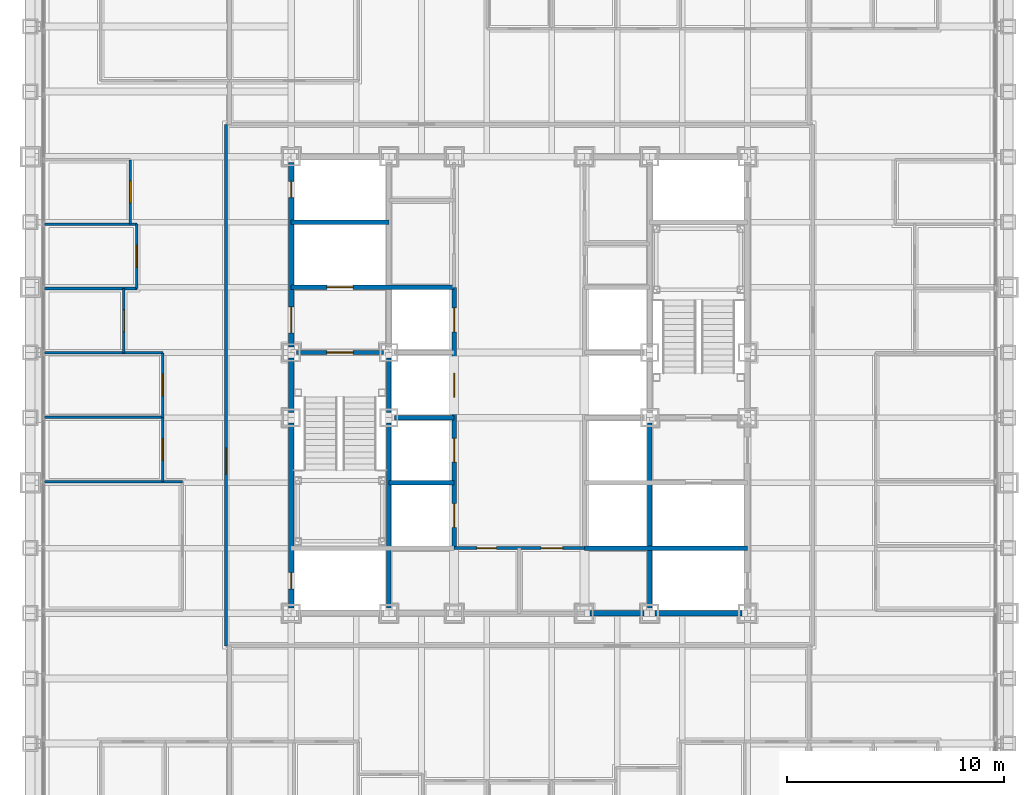
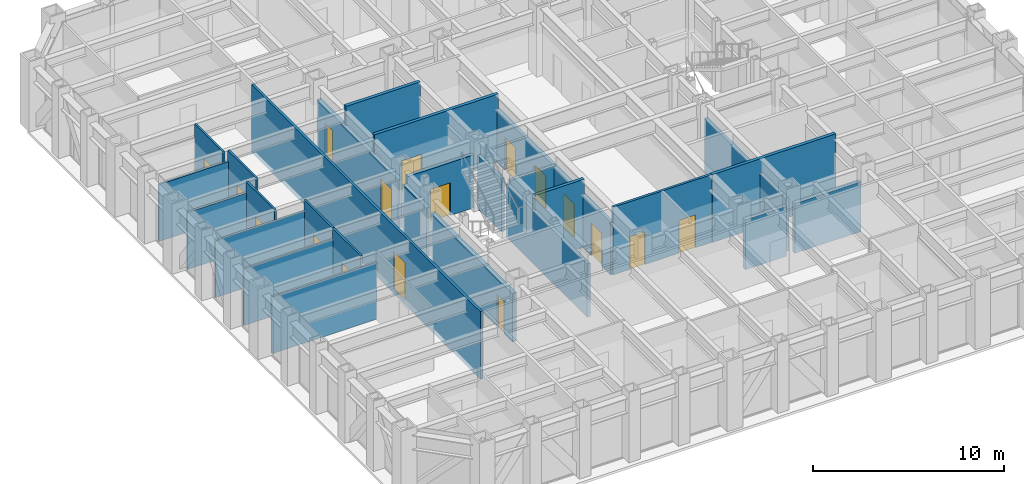
# One storey, part 9 of 16: 27 walls, 17 doors, 17 openings.
"""IFC4 building model written with IfcOpenShell, lengths in metres."""

from ifc_helpers import new_model, si_unit, direction, frame, frame_2d, origin, place, context, subcontext, project, spatial, rectangle, extrude, material, layer, layer_set, type_object, element, fill, save


model = new_model("IFC4")

# Units and contexts
model_context = context("Model", 3, precision=1e-05, world=origin(), true_north=direction((0.0, 1.0)))
body_context = subcontext(model_context, "Body", "Model", "MODEL_VIEW")
ifc_project = project(units=[si_unit("LENGTHUNIT", "METRE"), si_unit("AREAUNIT", "SQUARE_METRE"), si_unit("VOLUMEUNIT", "CUBIC_METRE"), si_unit("PLANEANGLEUNIT", "RADIAN"), si_unit("MASSUNIT", "GRAM", prefix="KILO")], contexts=[model_context])

# Site, building, storey
site_placement = place(None, origin())
site = spatial("IfcSite", under=ifc_project, at=site_placement, CompositionType="ELEMENT")
building_placement = place(site_placement, origin())
building = spatial("IfcBuilding", under=site, at=building_placement, Name="Chuquiago Exchange Tower", CompositionType="ELEMENT")
storey_placement = place(building_placement, frame((0.0, 0.0, 73.800048828125)))
storey = spatial("IfcBuildingStorey", under=building, at=storey_placement, Name="L15", CompositionType="ELEMENT", Elevation=73.800048828125)

# Wall, opening, door
ifc_material_1 = material(Name="Concrete masonry, fully grouted", Category="masonry")
ifc_layer_1 = layer(ifc_material_1, 0.25)
ifc_layer_set_1 = layer_set([ifc_layer_1], Name="W1 core wall 250")
wall_type_1 = type_object("IfcWallType", Name="W1 core wall 250", PredefinedType="SOLIDWALL", material=ifc_layer_set_1)
wall_1_placement = place(storey_placement, frame((12.0, 12.25, 0.0), z_axis=(0.0, 0.0, 1.0), x_axis=(0.0, 1.0, 0.0)))
wall_1 = element("IfcWall", 1, at=wall_1_placement, inside=storey, type_object=wall_type_1, Name="CW-L15-00-0", PredefinedType="SOLIDWALL", context=body_context, shape_type="SweptSolid", body=[
    extrude(rectangle(XDim=8.5, YDim=0.25, at=frame_2d((4.25, 0.0))), origin(), (0.0, 0.0, 1.0), 3.11279296875),
])
opening_1_placement = place(wall_1_placement, frame((0.875, 0.0, 0.0)))
opening_1 = element("IfcOpeningElement", 2, at=opening_1_placement, cuts=wall_1, Name="Opening L15-007", PredefinedType="OPENING", context=body_context, shape_type="SweptSolid", body=[
    extrude(rectangle(XDim=0.75, YDim=2.10009765625, at=frame_2d((0.375, 1.050048828125))), frame((0.0, 0.135009765625, 0.0), z_axis=(0.0, -1.0, 0.0), x_axis=(1.0, 0.0, 0.0)), (0.0, 0.0, 1.0), 0.27001953125),
])
ifc_material_2 = material(Name="Steel door, painted", Category="steel")
door_type_1 = type_object("IfcDoorType", Name="D6 riser access door 750x2100", OperationType="SINGLE_SWING_LEFT", PredefinedType="DOOR", material=ifc_material_2)
door_1_placement = place(opening_1_placement, origin())
door_1 = element("IfcDoor", 3, at=door_1_placement, inside=storey, type_object=door_type_1, Name="Riser RW1 door", OperationType="SINGLE_SWING_LEFT", OverallHeight=2.10009765625, OverallWidth=0.75, PredefinedType="DOOR", context=body_context, shape_type="SweptSolid", body=[
    extrude(rectangle(XDim=0.75, YDim=2.10009765625, at=frame_2d((0.375, 1.050048828125))), frame((0.0, 0.02490234375, 0.0), z_axis=(0.0, -1.0, 0.0), x_axis=(1.0, 0.0, 0.0)), (0.0, 0.0, 1.0), 0.050048828125),
])
fill(opening_1, door_1)

# Wall
wall_2_placement = place(storey_placement, frame((12.0, 21.25, 0.0), z_axis=(0.0, 0.0, 1.0), x_axis=(0.0, 1.0, 0.0)))
element("IfcWall", 4, at=wall_2_placement, inside=storey, type_object=wall_type_1, Name="CW-L15-00-1", PredefinedType="SOLIDWALL", context=body_context, shape_type="SweptSolid", body=[
    extrude(rectangle(XDim=2.5, YDim=0.25, at=frame_2d((1.25, 0.0))), origin(), (0.0, 0.0, 1.0), 3.11279296875),
])

# Wall, openings, doors
wall_3_placement = place(storey_placement, frame((12.0, 24.25, 0.0), z_axis=(0.0, 0.0, 1.0), x_axis=(0.0, 1.0, 0.0)))
wall_3 = element("IfcWall", 5, at=wall_3_placement, inside=storey, type_object=wall_type_1, Name="CW-L15-00-2", PredefinedType="SOLIDWALL", context=body_context, shape_type="SweptSolid", body=[
    extrude(rectangle(XDim=8.5, YDim=0.25, at=frame_2d((4.25, 0.0))), origin(), (0.0, 0.0, 1.0), 3.11279296875),
])
opening_2_placement = place(wall_3_placement, frame((0.64990234375, 0.0, 0.0)))
opening_2 = element("IfcOpeningElement", 6, at=opening_2_placement, cuts=wall_3, Name="Opening L15-002", PredefinedType="OPENING", context=body_context, shape_type="SweptSolid", body=[
    extrude(rectangle(XDim=1.199951171875, YDim=2.10009765625, at=frame_2d((0.60009765625, 1.050048828125))), frame((0.0, 0.135009765625, 0.0), z_axis=(0.0, -1.0, 0.0), x_axis=(1.0, 0.0, 0.0)), (0.0, 0.0, 1.0), 0.27001953125),
])
opening_3_placement = place(wall_3_placement, frame((6.875, 0.0, 0.0)))
opening_3 = element("IfcOpeningElement", 7, at=opening_3_placement, cuts=wall_3, Name="Opening L15-008", PredefinedType="OPENING", context=body_context, shape_type="SweptSolid", body=[
    extrude(rectangle(XDim=0.75, YDim=2.10009765625, at=frame_2d((0.375, 1.050048828125))), frame((0.0, 0.135009765625, 0.0), z_axis=(0.0, -1.0, 0.0), x_axis=(1.0, 0.0, 0.0)), (0.0, 0.0, 1.0), 0.27001953125),
])
ifc_material_3 = material(Name="Steel door, painted", Category="steel")
door_type_2 = type_object("IfcDoorType", Name="D5 firefighting lobby door 1200x2100", OperationType="SINGLE_SWING_LEFT", PredefinedType="DOOR", material=ifc_material_3)
door_2_placement = place(opening_2_placement, frame((1.199951171875, 0.0, 0.0), z_axis=(0.0, 0.0, 1.0), x_axis=(-1.0, 0.0, 0.0)))
door_2 = element("IfcDoor", 8, at=door_2_placement, inside=storey, type_object=door_type_2, Name="Firefighting lobby 1 door", OperationType="SINGLE_SWING_RIGHT", OverallHeight=2.10009765625, OverallWidth=1.199951171875, PredefinedType="DOOR", context=body_context, shape_type="SweptSolid", body=[
    extrude(rectangle(XDim=1.199951171875, YDim=2.10009765625, at=frame_2d((0.60009765625, 1.050048828125))), frame((0.0, 0.02490234375, 0.0), z_axis=(0.0, -1.0, 0.0), x_axis=(1.0, 0.0, 0.0)), (0.0, 0.0, 1.0), 0.050048828125),
])
fill(opening_2, door_2)
door_3_placement = place(opening_3_placement, origin())
door_3 = element("IfcDoor", 9, at=door_3_placement, inside=storey, type_object=door_type_1, Name="Riser RW2 door", OperationType="SINGLE_SWING_RIGHT", OverallHeight=2.10009765625, OverallWidth=0.75, PredefinedType="DOOR", context=body_context, shape_type="SweptSolid", body=[
    extrude(rectangle(XDim=0.75, YDim=2.10009765625, at=frame_2d((0.375, 1.050048828125))), frame((0.0, 0.02490234375, 0.0), z_axis=(0.0, -1.0, 0.0), x_axis=(1.0, 0.0, 0.0)), (0.0, 0.0, 1.0), 0.050048828125),
])
fill(opening_3, door_3)

# Walls
wall_4_placement = place(storey_placement, frame((25.75, 12.0, 0.0), z_axis=(0.0, 0.0, 1.0), x_axis=(1.0, 0.0, 0.0)))
element("IfcWall", 10, at=wall_4_placement, inside=storey, type_object=wall_type_1, Name="CW-L15-02-0", PredefinedType="SOLIDWALL", context=body_context, shape_type="SweptSolid", body=[
    extrude(rectangle(XDim=2.5, YDim=0.25, at=frame_2d((1.25, 0.0))), origin(), (0.0, 0.0, 1.0), 3.181396484375),
])
wall_5_placement = place(storey_placement, frame((28.75, 12.0, 0.0), z_axis=(0.0, 0.0, 1.0), x_axis=(1.0, 0.0, 0.0)))
element("IfcWall", 11, at=wall_5_placement, inside=storey, type_object=wall_type_1, Name="CW-L15-02-1", PredefinedType="SOLIDWALL", context=body_context, shape_type="SweptSolid", body=[
    extrude(rectangle(XDim=4.0, YDim=0.25, at=frame_2d((2.0, 0.0))), origin(), (0.0, 0.0, 1.0), 3.181396484375),
])

# Wall, opening, door
ifc_material_4 = material(Name="Gypsum board on steel studs, acoustic insulation", Category="steel")
ifc_layer_2 = layer(ifc_material_4, 0.14990234375)
ifc_layer_set_2 = layer_set([ifc_layer_2], Name="W11 corridor wall 150")
wall_type_2 = type_object("IfcWallType", Name="W11 corridor wall 150", PredefinedType="PARTITIONING", material=ifc_layer_set_2)
wall_6_placement = place(storey_placement, frame((9.0, 10.5, -0.300048828125), z_axis=(0.0, 0.0, 1.0), x_axis=(0.0, 1.0, 0.0)))
wall_6 = element("IfcWall", 12, at=wall_6_placement, inside=storey, type_object=wall_type_2, Name="PW-L15-CW", PredefinedType="PARTITIONING", context=body_context, shape_type="SweptSolid", body=[
    extrude(rectangle(XDim=24.0, YDim=0.14990234375, at=frame_2d((12.0, 0.0))), origin(), (0.0, 0.0, 1.0), 4.340087890625),
])
opening_4_placement = place(wall_6_placement, frame((7.89990234375, 0.0, 0.300048828125)))
opening_4 = element("IfcOpeningElement", 13, at=opening_4_placement, cuts=wall_6, Name="Opening L15-058", PredefinedType="OPENING", context=body_context, shape_type="SweptSolid", body=[
    extrude(rectangle(XDim=1.199951171875, YDim=2.39990234375, at=frame_2d((0.60009765625, 1.199951171875))), frame((0.0, 0.0849609375, 0.0), z_axis=(0.0, -1.0, 0.0), x_axis=(1.0, 0.0, 0.0)), (0.0, 0.0, 1.0), 0.169921875),
])
ifc_material_5 = material(Name="Timber door, laminate faced", Category="wood")
door_type_3 = type_object("IfcDoorType", Name="D13 suite entrance door 1200x2400", OperationType="SINGLE_SWING_LEFT", PredefinedType="DOOR", material=ifc_material_5)
door_4_placement = place(opening_4_placement, origin())
door_4 = element("IfcDoor", 14, at=door_4_placement, inside=storey, type_object=door_type_3, Name="West suite entrance door", OperationType="SINGLE_SWING_LEFT", OverallHeight=2.39990234375, OverallWidth=1.199951171875, PredefinedType="DOOR", context=body_context, shape_type="SweptSolid", body=[
    extrude(rectangle(XDim=1.199951171875, YDim=2.39990234375, at=frame_2d((0.60009765625, 1.199951171875))), frame((0.0, 0.02490234375, 0.0), z_axis=(0.0, -1.0, 0.0), x_axis=(1.0, 0.0, 0.0)), (0.0, 0.0, 1.0), 0.050048828125),
])
fill(opening_4, door_4)

# Wall
ifc_material_6 = material(Name="Concrete masonry, fully grouted", Category="masonry")
ifc_layer_3 = layer(ifc_material_6, 0.199951171875)
ifc_layer_set_3 = layer_set([ifc_layer_3], Name="W2 shaft wall 200")
wall_type_3 = type_object("IfcWallType", Name="W2 shaft wall 200", PredefinedType="SOLIDWALL", material=ifc_layer_set_3)
wall_7_placement = place(storey_placement, frame((25.5, 15.0, 0.0), z_axis=(0.0, 0.0, 1.0), x_axis=(1.0, 0.0, 0.0)))
element("IfcWall", 15, at=wall_7_placement, inside=storey, type_object=wall_type_3, Name="CW-L15-04-0", PredefinedType="SOLIDWALL", context=body_context, shape_type="SweptSolid", body=[
    extrude(rectangle(XDim=7.5, YDim=0.199951171875, at=frame_2d((3.75, 0.0))), origin(), (0.0, 0.0, 1.0), 4.33984375),
])

# Wall, opening, door
wall_8_placement = place(storey_placement, frame((12.25, 24.0, 0.0), z_axis=(0.0, 0.0, 1.0), x_axis=(1.0, 0.0, 0.0)))
wall_8 = element("IfcWall", 16, at=wall_8_placement, inside=storey, type_object=wall_type_3, Name="CW-L15-05-0", PredefinedType="SOLIDWALL", context=body_context, shape_type="SweptSolid", body=[
    extrude(rectangle(XDim=4.0, YDim=0.199951171875, at=frame_2d((2.0, 0.0))), origin(), (0.0, 0.0, 1.0), 3.389892578125),
])
opening_5_placement = place(wall_8_placement, frame((1.39990234375, 0.0, 0.0)))
opening_5 = element("IfcOpeningElement", 17, at=opening_5_placement, cuts=wall_8, Name="Opening L15-001", PredefinedType="OPENING", context=body_context, shape_type="SweptSolid", body=[
    extrude(rectangle(XDim=1.199951171875, YDim=2.10009765625, at=frame_2d((0.60009765625, 1.050048828125))), frame((0.0, 0.10986328125, 0.0), z_axis=(0.0, -1.0, 0.0), x_axis=(1.0, 0.0, 0.0)), (0.0, 0.0, 1.0), 0.219970703125),
])
ifc_material_7 = material(Name="Steel door, painted", Category="steel")
door_type_4 = type_object("IfcDoorType", Name="D4 stair door 1200x2100", OperationType="SINGLE_SWING_LEFT", PredefinedType="DOOR", material=ifc_material_7)
door_5_placement = place(opening_5_placement, frame((1.199951171875, 0.0, 0.0), z_axis=(0.0, 0.0, 1.0), x_axis=(-1.0, 0.0, 0.0)))
door_5 = element("IfcDoor", 18, at=door_5_placement, inside=storey, type_object=door_type_4, Name="Stair ST1 door", OperationType="SINGLE_SWING_RIGHT", OverallHeight=2.10009765625, OverallWidth=1.199951171875, PredefinedType="DOOR", context=body_context, shape_type="SweptSolid", body=[
    extrude(rectangle(XDim=1.199951171875, YDim=2.10009765625, at=frame_2d((0.60009765625, 1.050048828125))), frame((0.0, 0.02490234375, 0.0), z_axis=(0.0, -1.0, 0.0), x_axis=(1.0, 0.0, 0.0)), (0.0, 0.0, 1.0), 0.050048828125),
])
fill(opening_5, door_5)

wall_9_placement = place(storey_placement, frame((12.0, 27.0, 0.0), z_axis=(0.0, 0.0, 1.0), x_axis=(1.0, 0.0, 0.0)))
wall_9 = element("IfcWall", 19, at=wall_9_placement, inside=storey, type_object=wall_type_3, Name="CW-L15-07-0", PredefinedType="SOLIDWALL", context=body_context, shape_type="SweptSolid", body=[
    extrude(rectangle(XDim=7.5, YDim=0.199951171875, at=frame_2d((3.75, 0.0))), origin(), (0.0, 0.0, 1.0), 4.33984375),
])
opening_6_placement = place(wall_9_placement, frame((1.64990234375, 0.0, 0.0)))
opening_6 = element("IfcOpeningElement", 20, at=opening_6_placement, cuts=wall_9, Name="Opening L15-005", PredefinedType="OPENING", context=body_context, shape_type="SweptSolid", body=[
    extrude(rectangle(XDim=1.199951171875, YDim=2.10009765625, at=frame_2d((0.60009765625, 1.050048828125))), frame((0.0, 0.10986328125, 0.0), z_axis=(0.0, -1.0, 0.0), x_axis=(1.0, 0.0, 0.0)), (0.0, 0.0, 1.0), 0.219970703125),
])
ifc_material_8 = material(Name="Stainless steel lift landing door", Category="steel")
door_type_5 = type_object("IfcDoorType", Name="LD2 firefighting lift landing door 1200x2100", OperationType="DOUBLE_DOOR_SLIDING", PredefinedType="DOOR", material=ifc_material_8)
door_6_placement = place(opening_6_placement, origin())
door_6 = element("IfcDoor", 21, at=door_6_placement, inside=storey, type_object=door_type_5, Name="Firefighting lift FL1 landing door", OperationType="DOUBLE_DOOR_SLIDING", OverallHeight=2.10009765625, OverallWidth=1.199951171875, PredefinedType="DOOR", context=body_context, shape_type="SweptSolid", body=[
    extrude(rectangle(XDim=1.199951171875, YDim=2.10009765625, at=frame_2d((0.60009765625, 1.050048828125))), frame((0.0, 0.02490234375, 0.0), z_axis=(0.0, -1.0, 0.0), x_axis=(1.0, 0.0, 0.0)), (0.0, 0.0, 1.0), 0.050048828125),
])
fill(opening_6, door_6)

# Walls
wall_10_placement = place(storey_placement, frame((12.0, 30.0, 0.0), z_axis=(0.0, 0.0, 1.0), x_axis=(1.0, 0.0, 0.0)))
element("IfcWall", 22, at=wall_10_placement, inside=storey, type_object=wall_type_3, Name="CW-L15-09-0", PredefinedType="SOLIDWALL", context=body_context, shape_type="SweptSolid", body=[
    extrude(rectangle(XDim=4.5, YDim=0.199951171875, at=frame_2d((2.25, 0.0))), origin(), (0.0, 0.0, 1.0), 4.33984375),
])
wall_11_placement = place(storey_placement, frame((16.5, 12.25, 0.0), z_axis=(0.0, 0.0, 1.0), x_axis=(0.0, 1.0, 0.0)))
element("IfcWall", 23, at=wall_11_placement, inside=storey, type_object=wall_type_3, Name="CW-L15-13-0", PredefinedType="SOLIDWALL", context=body_context, shape_type="SweptSolid", body=[
    extrude(rectangle(XDim=8.5, YDim=0.199951171875, at=frame_2d((4.25, 0.0))), origin(), (0.0, 0.0, 1.0), 3.412841796875),
])
wall_12_placement = place(storey_placement, frame((16.5, 21.25, 0.0), z_axis=(0.0, 0.0, 1.0), x_axis=(0.0, 1.0, 0.0)))
element("IfcWall", 24, at=wall_12_placement, inside=storey, type_object=wall_type_3, Name="CW-L15-13-1", PredefinedType="SOLIDWALL", context=body_context, shape_type="SweptSolid", body=[
    extrude(rectangle(XDim=2.5, YDim=0.199951171875, at=frame_2d((1.25, 0.0))), origin(), (0.0, 0.0, 1.0), 3.412841796875),
])
wall_13_placement = place(storey_placement, frame((16.5, 18.0, 0.0), z_axis=(0.0, 0.0, 1.0), x_axis=(1.0, 0.0, 0.0)))
element("IfcWall", 25, at=wall_13_placement, inside=storey, type_object=wall_type_3, Name="CW-L15-14-0", PredefinedType="SOLIDWALL", context=body_context, shape_type="SweptSolid", body=[
    extrude(rectangle(XDim=3.0, YDim=0.199951171875, at=frame_2d((1.5, 0.0))), origin(), (0.0, 0.0, 1.0), 4.33984375),
])
wall_14_placement = place(storey_placement, frame((16.75, 21.0, 0.0), z_axis=(0.0, 0.0, 1.0), x_axis=(1.0, 0.0, 0.0)))
element("IfcWall", 26, at=wall_14_placement, inside=storey, type_object=wall_type_3, Name="CW-L15-16-0", PredefinedType="SOLIDWALL", context=body_context, shape_type="SweptSolid", body=[
    extrude(rectangle(XDim=2.75, YDim=0.199951171875, at=frame_2d((1.375, 0.0))), origin(), (0.0, 0.0, 1.0), 3.389892578125),
])

# Wall, openings, doors
wall_15_placement = place(storey_placement, frame((19.5, 15.0, 0.0), z_axis=(0.0, 0.0, 1.0), x_axis=(0.0, 1.0, 0.0)))
wall_15 = element("IfcWall", 27, at=wall_15_placement, inside=storey, type_object=wall_type_3, Name="CW-L15-19-0", PredefinedType="SOLIDWALL", context=body_context, shape_type="SweptSolid", body=[
    extrude(rectangle(XDim=12.0, YDim=0.199951171875, at=frame_2d((6.0, 0.0))), origin(), (0.0, 0.0, 1.0), 3.364501953125),
])
opening_7_placement = place(wall_15_placement, frame((0.949951171875, 0.0, 0.0)))
opening_7 = element("IfcOpeningElement", 28, at=opening_7_placement, cuts=wall_15, Name="Opening L15-017", PredefinedType="OPENING", context=body_context, shape_type="SweptSolid", body=[
    extrude(rectangle(XDim=1.10009765625, YDim=2.10009765625, at=frame_2d((0.550048828125, 1.050048828125))), frame((0.0, 0.10986328125, 0.0), z_axis=(0.0, -1.0, 0.0), x_axis=(1.0, 0.0, 0.0)), (0.0, 0.0, 1.0), 0.219970703125),
])
opening_8_placement = place(wall_15_placement, frame((3.949951171875, 0.0, 0.0)))
opening_8 = element("IfcOpeningElement", 29, at=opening_8_placement, cuts=wall_15, Name="Opening L15-018", PredefinedType="OPENING", context=body_context, shape_type="SweptSolid", body=[
    extrude(rectangle(XDim=1.10009765625, YDim=2.10009765625, at=frame_2d((0.550048828125, 1.050048828125))), frame((0.0, 0.10986328125, 0.0), z_axis=(0.0, -1.0, 0.0), x_axis=(1.0, 0.0, 0.0)), (0.0, 0.0, 1.0), 0.219970703125),
])
opening_9_placement = place(wall_15_placement, frame((6.949951171875, 0.0, 0.0)))
opening_9 = element("IfcOpeningElement", 30, at=opening_9_placement, cuts=wall_15, Name="Opening L15-019", PredefinedType="OPENING", context=body_context, shape_type="SweptSolid", body=[
    extrude(rectangle(XDim=1.10009765625, YDim=2.10009765625, at=frame_2d((0.550048828125, 1.050048828125))), frame((0.0, 0.10986328125, 0.0), z_axis=(0.0, -1.0, 0.0), x_axis=(1.0, 0.0, 0.0)), (0.0, 0.0, 1.0), 0.219970703125),
])
opening_10_placement = place(wall_15_placement, frame((9.949951171875, 0.0, 0.0)))
opening_10 = element("IfcOpeningElement", 31, at=opening_10_placement, cuts=wall_15, Name="Opening L15-020", PredefinedType="OPENING", context=body_context, shape_type="SweptSolid", body=[
    extrude(rectangle(XDim=1.10009765625, YDim=2.10009765625, at=frame_2d((0.550048828125, 1.050048828125))), frame((0.0, 0.10986328125, 0.0), z_axis=(0.0, -1.0, 0.0), x_axis=(1.0, 0.0, 0.0)), (0.0, 0.0, 1.0), 0.219970703125),
])
ifc_material_9 = material(Name="Stainless steel lift landing door", Category="steel")
door_type_6 = type_object("IfcDoorType", Name="LD1 lift landing door 1100x2100", OperationType="DOUBLE_DOOR_SLIDING", PredefinedType="DOOR", material=ifc_material_9)
door_7_placement = place(opening_7_placement, origin())
door_7 = element("IfcDoor", 32, at=door_7_placement, inside=storey, type_object=door_type_6, Name="Lift LA1 landing door", OperationType="DOUBLE_DOOR_SLIDING", OverallHeight=2.10009765625, OverallWidth=1.10009765625, PredefinedType="DOOR", context=body_context, shape_type="SweptSolid", body=[
    extrude(rectangle(XDim=1.10009765625, YDim=2.10009765625, at=frame_2d((0.550048828125, 1.050048828125))), frame((0.0, 0.02490234375, 0.0), z_axis=(0.0, -1.0, 0.0), x_axis=(1.0, 0.0, 0.0)), (0.0, 0.0, 1.0), 0.050048828125),
])
fill(opening_7, door_7)
door_8_placement = place(opening_8_placement, origin())
door_8 = element("IfcDoor", 33, at=door_8_placement, inside=storey, type_object=door_type_6, Name="Lift LA2 landing door", OperationType="DOUBLE_DOOR_SLIDING", OverallHeight=2.10009765625, OverallWidth=1.10009765625, PredefinedType="DOOR", context=body_context, shape_type="SweptSolid", body=[
    extrude(rectangle(XDim=1.10009765625, YDim=2.10009765625, at=frame_2d((0.550048828125, 1.050048828125))), frame((0.0, 0.02490234375, 0.0), z_axis=(0.0, -1.0, 0.0), x_axis=(1.0, 0.0, 0.0)), (0.0, 0.0, 1.0), 0.050048828125),
])
fill(opening_8, door_8)
door_9_placement = place(opening_9_placement, origin())
door_9 = element("IfcDoor", 34, at=door_9_placement, inside=storey, type_object=door_type_6, Name="Lift LA3 landing door", OperationType="DOUBLE_DOOR_SLIDING", OverallHeight=2.10009765625, OverallWidth=1.10009765625, PredefinedType="DOOR", context=body_context, shape_type="SweptSolid", body=[
    extrude(rectangle(XDim=1.10009765625, YDim=2.10009765625, at=frame_2d((0.550048828125, 1.050048828125))), frame((0.0, 0.02490234375, 0.0), z_axis=(0.0, -1.0, 0.0), x_axis=(1.0, 0.0, 0.0)), (0.0, 0.0, 1.0), 0.050048828125),
])
fill(opening_9, door_9)
door_10_placement = place(opening_10_placement, origin())
door_10 = element("IfcDoor", 35, at=door_10_placement, inside=storey, type_object=door_type_6, Name="Lift LA4 landing door", OperationType="DOUBLE_DOOR_SLIDING", OverallHeight=2.10009765625, OverallWidth=1.10009765625, PredefinedType="DOOR", context=body_context, shape_type="SweptSolid", body=[
    extrude(rectangle(XDim=1.10009765625, YDim=2.10009765625, at=frame_2d((0.550048828125, 1.050048828125))), frame((0.0, 0.02490234375, 0.0), z_axis=(0.0, -1.0, 0.0), x_axis=(1.0, 0.0, 0.0)), (0.0, 0.0, 1.0), 0.050048828125),
])
fill(opening_10, door_10)

# Wall
wall_16_placement = place(storey_placement, frame((28.5, 12.25, 0.0), z_axis=(0.0, 0.0, 1.0), x_axis=(0.0, 1.0, 0.0)))
element("IfcWall", 36, at=wall_16_placement, inside=storey, type_object=wall_type_3, Name="CW-L15-24-0", PredefinedType="SOLIDWALL", context=body_context, shape_type="SweptSolid", body=[
    extrude(rectangle(XDim=8.5, YDim=0.199951171875, at=frame_2d((4.25, 0.0))), origin(), (0.0, 0.0, 1.0), 3.412841796875),
])

# Wall, openings, doors
ifc_material_10 = material(Name="Gypsum board on steel studs", Category="steel")
ifc_layer_4 = layer(ifc_material_10, 0.14990234375)
ifc_layer_set_4 = layer_set([ifc_layer_4], Name="W3 core partition 150")
wall_type_4 = type_object("IfcWallType", Name="W3 core partition 150", PredefinedType="PARTITIONING", material=ifc_layer_set_4)
wall_17_placement = place(storey_placement, frame((19.5, 15.0, 0.0), z_axis=(0.0, 0.0, 1.0), x_axis=(1.0, 0.0, 0.0)))
wall_17 = element("IfcWall", 37, at=wall_17_placement, inside=storey, type_object=wall_type_4, Name="CW-L15-TF", PredefinedType="PARTITIONING", context=body_context, shape_type="SweptSolid", body=[
    extrude(rectangle(XDim=6.0, YDim=0.14990234375, at=frame_2d((3.0, 0.0))), origin(), (0.0, 0.0, 1.0), 4.33984375),
])
opening_11_placement = place(wall_17_placement, frame((4.0, 0.0, 0.0)))
opening_11 = element("IfcOpeningElement", 38, at=opening_11_placement, cuts=wall_17, Name="Opening L15-015", PredefinedType="OPENING", context=body_context, shape_type="SweptSolid", body=[
    extrude(rectangle(XDim=1.0, YDim=2.10009765625, at=frame_2d((0.5, 1.050048828125))), frame((0.0, 0.0849609375, 0.0), z_axis=(0.0, -1.0, 0.0), x_axis=(1.0, 0.0, 0.0)), (0.0, 0.0, 1.0), 0.169921875),
])
opening_12_placement = place(wall_17_placement, frame((1.050048828125, 0.0, 0.0)))
opening_12 = element("IfcOpeningElement", 39, at=opening_12_placement, cuts=wall_17, Name="Opening L15-016", PredefinedType="OPENING", context=body_context, shape_type="SweptSolid", body=[
    extrude(rectangle(XDim=0.89990234375, YDim=2.10009765625, at=frame_2d((0.449951171875, 1.050048828125))), frame((0.0, 0.0849609375, 0.0), z_axis=(0.0, -1.0, 0.0), x_axis=(1.0, 0.0, 0.0)), (0.0, 0.0, 1.0), 0.169921875),
])
ifc_material_11 = material(Name="Timber door, laminate faced", Category="wood")
door_type_7 = type_object("IfcDoorType", Name="D7 toilet door 900x2100", OperationType="SINGLE_SWING_LEFT", PredefinedType="DOOR", material=ifc_material_11)
door_11_placement = place(opening_12_placement, origin())
door_11 = element("IfcDoor", 40, at=door_11_placement, inside=storey, type_object=door_type_7, Name="Cleaner door", OperationType="SINGLE_SWING_LEFT", OverallHeight=2.10009765625, OverallWidth=0.89990234375, PredefinedType="DOOR", context=body_context, shape_type="SweptSolid", body=[
    extrude(rectangle(XDim=0.89990234375, YDim=2.10009765625, at=frame_2d((0.449951171875, 1.050048828125))), frame((0.0, 0.02490234375, 0.0), z_axis=(0.0, -1.0, 0.0), x_axis=(1.0, 0.0, 0.0)), (0.0, 0.0, 1.0), 0.050048828125),
])
fill(opening_12, door_11)
ifc_material_12 = material(Name="Timber door, laminate faced", Category="wood")
door_type_8 = type_object("IfcDoorType", Name="D8 accessible toilet door 1000x2100", OperationType="SLIDING_TO_LEFT", PredefinedType="DOOR", material=ifc_material_12)
door_12_placement = place(opening_11_placement, origin())
door_12 = element("IfcDoor", 41, at=door_12_placement, inside=storey, type_object=door_type_8, Name="Accessible WC door", OperationType="SLIDING_TO_LEFT", OverallHeight=2.10009765625, OverallWidth=1.0, PredefinedType="DOOR", context=body_context, shape_type="SweptSolid", body=[
    extrude(rectangle(XDim=1.0, YDim=2.10009765625, at=frame_2d((0.5, 1.050048828125))), frame((0.0, 0.02490234375, 0.0), z_axis=(0.0, -1.0, 0.0), x_axis=(1.0, 0.0, 0.0)), (0.0, 0.0, 1.0), 0.050048828125),
])
fill(opening_11, door_12)

# Walls
ifc_material_13 = material(Name="Gypsum board on steel studs", Category="steel")
ifc_layer_5 = layer(ifc_material_13, 0.1201171875)
ifc_layer_set_5 = layer_set([ifc_layer_5], Name="W4 partition 120")
wall_type_5 = type_object("IfcWallType", Name="W4 partition 120", PredefinedType="PARTITIONING", material=ifc_layer_set_5)
wall_18_placement = place(storey_placement, frame((0.657470703125, 18.057373046875, -0.300048828125), z_axis=(0.0, 0.0, 1.0), x_axis=(1.0, 0.0, 0.0)))
element("IfcWall", 42, at=wall_18_placement, inside=storey, type_object=wall_type_5, Name="PW-L15-W01806", PredefinedType="PARTITIONING", context=body_context, shape_type="SweptSolid", body=[
    extrude(rectangle(XDim=6.342529296875, YDim=0.1201171875, at=frame_2d((3.17138671875, 0.0))), origin(), (0.0, 0.0, 1.0), 3.646484375),
])
for number, where, z_axis, x_axis, name in (
    (43, (0.657470703125, 21.01904296875, -0.300048828125), (0.0, 0.0, 1.0), (1.0, 0.0, 0.0), "PW-L15-W02102"),
    (44, (0.657470703125, 23.98095703125, -0.300048828125), (0.0, 0.0, 1.0), (1.0, 0.0, 0.0), "PW-L15-W02398"),
):
    element("IfcWall", number, at=place(storey_placement, frame(where, z_axis=z_axis, x_axis=x_axis)), inside=storey, type_object=wall_type_5, Name=name, PredefinedType="PARTITIONING", context=body_context, shape_type="SweptSolid", body=[
        extrude(rectangle(XDim=5.442626953125, YDim=0.1201171875, at=frame_2d((2.72119140625, 0.0))), origin(), (0.0, 0.0, 1.0), 3.646484375),
    ])
for number, where, z_axis, x_axis, name in (
    (45, (0.657470703125, 26.942626953125, -0.300048828125), (0.0, 0.0, 1.0), (1.0, 0.0, 0.0), "PW-L15-W02694"),
    (46, (0.657470703125, 29.904296875, -0.300048828125), (0.0, 0.0, 1.0), (1.0, 0.0, 0.0), "PW-L15-W02990"),
):
    element("IfcWall", number, at=place(storey_placement, frame(where, z_axis=z_axis, x_axis=x_axis)), inside=storey, type_object=wall_type_5, Name=name, PredefinedType="PARTITIONING", context=body_context, shape_type="SweptSolid", body=[
        extrude(rectangle(XDim=4.242431640625, YDim=0.1201171875, at=frame_2d((2.12109375, 0.0))), origin(), (0.0, 0.0, 1.0), 3.646484375),
    ])

# Wall, opening, door
wall_19_placement = place(storey_placement, frame((6.10009765625, 18.057373046875, -0.300048828125), z_axis=(0.0, 0.0, 1.0), x_axis=(0.0, 1.0, 0.0)))
wall_19 = element("IfcWall", 47, at=wall_19_placement, inside=storey, type_object=wall_type_5, Name="PW-L15-WF01806", PredefinedType="PARTITIONING", context=body_context, shape_type="SweptSolid", body=[
    extrude(rectangle(XDim=2.961669921875, YDim=0.1201171875, at=frame_2d((1.48095703125, 0.0))), origin(), (0.0, 0.0, 1.0), 4.340087890625),
])
opening_13_placement = place(wall_19_placement, frame((0.98095703125, 0.0, 0.300048828125)))
opening_13 = element("IfcOpeningElement", 48, at=opening_13_placement, cuts=wall_19, Name="Opening L15-051", PredefinedType="OPENING", context=body_context, shape_type="SweptSolid", body=[
    extrude(rectangle(XDim=1.0, YDim=2.39990234375, at=frame_2d((0.5, 1.199951171875))), frame((0.0, 0.070068359375, 0.0), z_axis=(0.0, -1.0, 0.0), x_axis=(1.0, 0.0, 0.0)), (0.0, 0.0, 1.0), 0.14013671875),
])
ifc_material_14 = material(Name="Timber door, laminate faced", Category="wood")
door_type_9 = type_object("IfcDoorType", Name="D9 room door 1000x2400", OperationType="SINGLE_SWING_LEFT", PredefinedType="DOOR", material=ifc_material_14)
door_13_placement = place(opening_13_placement, origin())
door_13 = element("IfcDoor", 49, at=door_13_placement, inside=storey, type_object=door_type_9, Name="Office door", OperationType="SINGLE_SWING_RIGHT", OverallHeight=2.39990234375, OverallWidth=1.0, PredefinedType="DOOR", context=body_context, shape_type="SweptSolid", body=[
    extrude(rectangle(XDim=1.0, YDim=2.39990234375, at=frame_2d((0.5, 1.199951171875))), frame((0.0, 0.02490234375, 0.0), z_axis=(0.0, -1.0, 0.0), x_axis=(1.0, 0.0, 0.0)), (0.0, 0.0, 1.0), 0.050048828125),
])
fill(opening_13, door_13)

wall_20_placement = place(storey_placement, frame((6.10009765625, 21.01904296875, -0.300048828125), z_axis=(0.0, 0.0, 1.0), x_axis=(0.0, 1.0, 0.0)))
wall_20 = element("IfcWall", 50, at=wall_20_placement, inside=storey, type_object=wall_type_5, Name="PW-L15-WF02102", PredefinedType="PARTITIONING", context=body_context, shape_type="SweptSolid", body=[
    extrude(rectangle(XDim=2.9619140625, YDim=0.1201171875, at=frame_2d((1.48095703125, 0.0))), origin(), (0.0, 0.0, 1.0), 4.340087890625),
])
opening_14_placement = place(wall_20_placement, frame((0.98095703125, 0.0, 0.300048828125)))
opening_14 = element("IfcOpeningElement", 51, at=opening_14_placement, cuts=wall_20, Name="Opening L15-052", PredefinedType="OPENING", context=body_context, shape_type="SweptSolid", body=[
    extrude(rectangle(XDim=1.0, YDim=2.39990234375, at=frame_2d((0.5, 1.199951171875))), frame((0.0, 0.070068359375, 0.0), z_axis=(0.0, -1.0, 0.0), x_axis=(1.0, 0.0, 0.0)), (0.0, 0.0, 1.0), 0.14013671875),
])
door_14_placement = place(opening_14_placement, origin())
door_14 = element("IfcDoor", 52, at=door_14_placement, inside=storey, type_object=door_type_9, Name="Office door", OperationType="SINGLE_SWING_RIGHT", OverallHeight=2.39990234375, OverallWidth=1.0, PredefinedType="DOOR", context=body_context, shape_type="SweptSolid", body=[
    extrude(rectangle(XDim=1.0, YDim=2.39990234375, at=frame_2d((0.5, 1.199951171875))), frame((0.0, 0.02490234375, 0.0), z_axis=(0.0, -1.0, 0.0), x_axis=(1.0, 0.0, 0.0)), (0.0, 0.0, 1.0), 0.050048828125),
])
fill(opening_14, door_14)

wall_21_placement = place(storey_placement, frame((4.300048828125, 23.98095703125, -0.300048828125), z_axis=(0.0, 0.0, 1.0), x_axis=(0.0, 1.0, 0.0)))
wall_21 = element("IfcWall", 53, at=wall_21_placement, inside=storey, type_object=wall_type_5, Name="PW-L15-WF02398", PredefinedType="PARTITIONING", context=body_context, shape_type="SweptSolid", body=[
    extrude(rectangle(XDim=2.961669921875, YDim=0.1201171875, at=frame_2d((1.48095703125, 0.0))), origin(), (0.0, 0.0, 1.0), 4.340087890625),
])
opening_15_placement = place(wall_21_placement, frame((0.98095703125, 0.0, 0.300048828125)))
opening_15 = element("IfcOpeningElement", 54, at=opening_15_placement, cuts=wall_21, Name="Opening L15-053", PredefinedType="OPENING", context=body_context, shape_type="SweptSolid", body=[
    extrude(rectangle(XDim=1.0, YDim=2.39990234375, at=frame_2d((0.5, 1.199951171875))), frame((0.0, 0.070068359375, 0.0), z_axis=(0.0, -1.0, 0.0), x_axis=(1.0, 0.0, 0.0)), (0.0, 0.0, 1.0), 0.14013671875),
])
ifc_material_15 = material(Name="Timber frame door, full height glazed panel", Category="wood")
door_type_10 = type_object("IfcDoorType", Name="D14 glazed meeting room door 1000x2400", OperationType="SINGLE_SWING_LEFT", PredefinedType="DOOR", material=ifc_material_15)
door_15_placement = place(opening_15_placement, origin())
door_15 = element("IfcDoor", 55, at=door_15_placement, inside=storey, type_object=door_type_10, Name="Focus room door", OperationType="SINGLE_SWING_RIGHT", OverallHeight=2.39990234375, OverallWidth=1.0, PredefinedType="DOOR", context=body_context, shape_type="SweptSolid", body=[
    extrude(rectangle(XDim=1.0, YDim=2.39990234375, at=frame_2d((0.5, 1.199951171875))), frame((0.0, 0.02490234375, 0.0), z_axis=(0.0, -1.0, 0.0), x_axis=(1.0, 0.0, 0.0)), (0.0, 0.0, 1.0), 0.050048828125),
])
fill(opening_15, door_15)

wall_22_placement = place(storey_placement, frame((4.89990234375, 26.942626953125, -0.300048828125), z_axis=(0.0, 0.0, 1.0), x_axis=(0.0, 1.0, 0.0)))
wall_22 = element("IfcWall", 56, at=wall_22_placement, inside=storey, type_object=wall_type_5, Name="PW-L15-WF02694", PredefinedType="PARTITIONING", context=body_context, shape_type="SweptSolid", body=[
    extrude(rectangle(XDim=2.961669921875, YDim=0.1201171875, at=frame_2d((1.48095703125, 0.0))), origin(), (0.0, 0.0, 1.0), 4.340087890625),
])
opening_16_placement = place(wall_22_placement, frame((0.98095703125, 0.0, 0.300048828125)))
opening_16 = element("IfcOpeningElement", 57, at=opening_16_placement, cuts=wall_22, Name="Opening L15-054", PredefinedType="OPENING", context=body_context, shape_type="SweptSolid", body=[
    extrude(rectangle(XDim=1.0, YDim=2.39990234375, at=frame_2d((0.5, 1.199951171875))), frame((0.0, 0.070068359375, 0.0), z_axis=(0.0, -1.0, 0.0), x_axis=(1.0, 0.0, 0.0)), (0.0, 0.0, 1.0), 0.14013671875),
])
door_16_placement = place(opening_16_placement, origin())
door_16 = element("IfcDoor", 58, at=door_16_placement, inside=storey, type_object=door_type_9, Name="Pantry door", OperationType="SINGLE_SWING_LEFT", OverallHeight=2.39990234375, OverallWidth=1.0, PredefinedType="DOOR", context=body_context, shape_type="SweptSolid", body=[
    extrude(rectangle(XDim=1.0, YDim=2.39990234375, at=frame_2d((0.5, 1.199951171875))), frame((0.0, 0.02490234375, 0.0), z_axis=(0.0, -1.0, 0.0), x_axis=(1.0, 0.0, 0.0)), (0.0, 0.0, 1.0), 0.050048828125),
])
fill(opening_16, door_16)

wall_23_placement = place(storey_placement, frame((4.60009765625, 29.904296875, -0.300048828125), z_axis=(0.0, 0.0, 1.0), x_axis=(0.0, 1.0, 0.0)))
wall_23 = element("IfcWall", 59, at=wall_23_placement, inside=storey, type_object=wall_type_5, Name="PW-L15-WF02990", PredefinedType="PARTITIONING", context=body_context, shape_type="SweptSolid", body=[
    extrude(rectangle(XDim=2.9619140625, YDim=0.1201171875, at=frame_2d((1.48095703125, 0.0))), origin(), (0.0, 0.0, 1.0), 4.340087890625),
])
opening_17_placement = place(wall_23_placement, frame((0.98095703125, 0.0, 0.300048828125)))
opening_17 = element("IfcOpeningElement", 60, at=opening_17_placement, cuts=wall_23, Name="Opening L15-055", PredefinedType="OPENING", context=body_context, shape_type="SweptSolid", body=[
    extrude(rectangle(XDim=1.0, YDim=2.39990234375, at=frame_2d((0.5, 1.199951171875))), frame((0.0, 0.070068359375, 0.0), z_axis=(0.0, -1.0, 0.0), x_axis=(1.0, 0.0, 0.0)), (0.0, 0.0, 1.0), 0.14013671875),
])
door_17_placement = place(opening_17_placement, origin())
door_17 = element("IfcDoor", 61, at=door_17_placement, inside=storey, type_object=door_type_9, Name="Store door", OperationType="SINGLE_SWING_LEFT", OverallHeight=2.39990234375, OverallWidth=1.0, PredefinedType="DOOR", context=body_context, shape_type="SweptSolid", body=[
    extrude(rectangle(XDim=1.0, YDim=2.39990234375, at=frame_2d((0.5, 1.199951171875))), frame((0.0, 0.02490234375, 0.0), z_axis=(0.0, -1.0, 0.0), x_axis=(1.0, 0.0, 0.0)), (0.0, 0.0, 1.0), 0.050048828125),
])
fill(opening_17, door_17)

save(model, "model.ifc")
